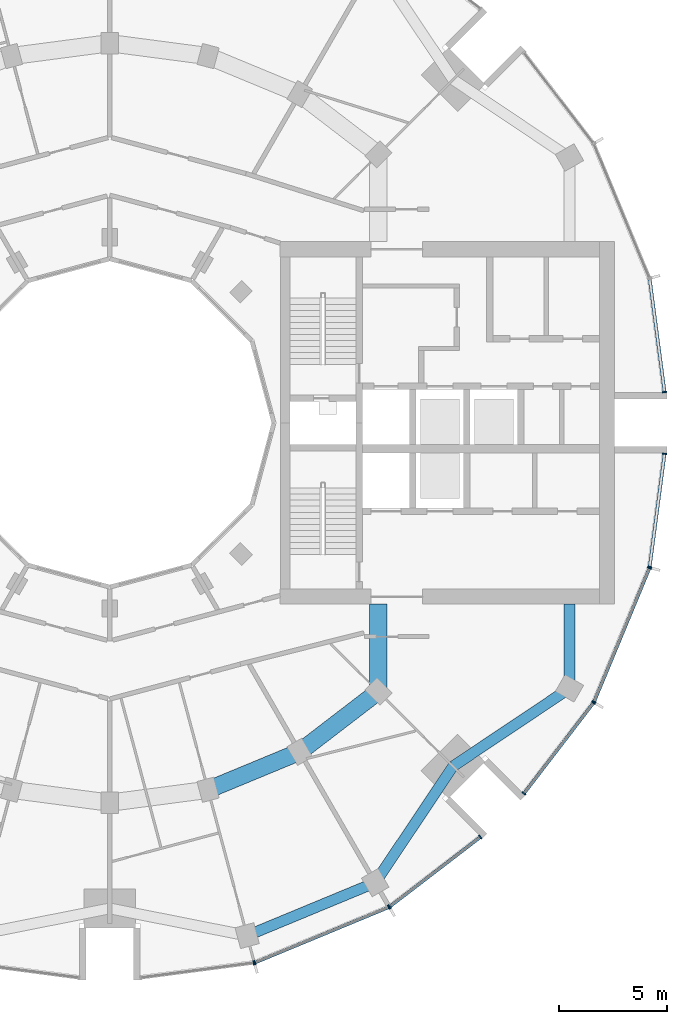
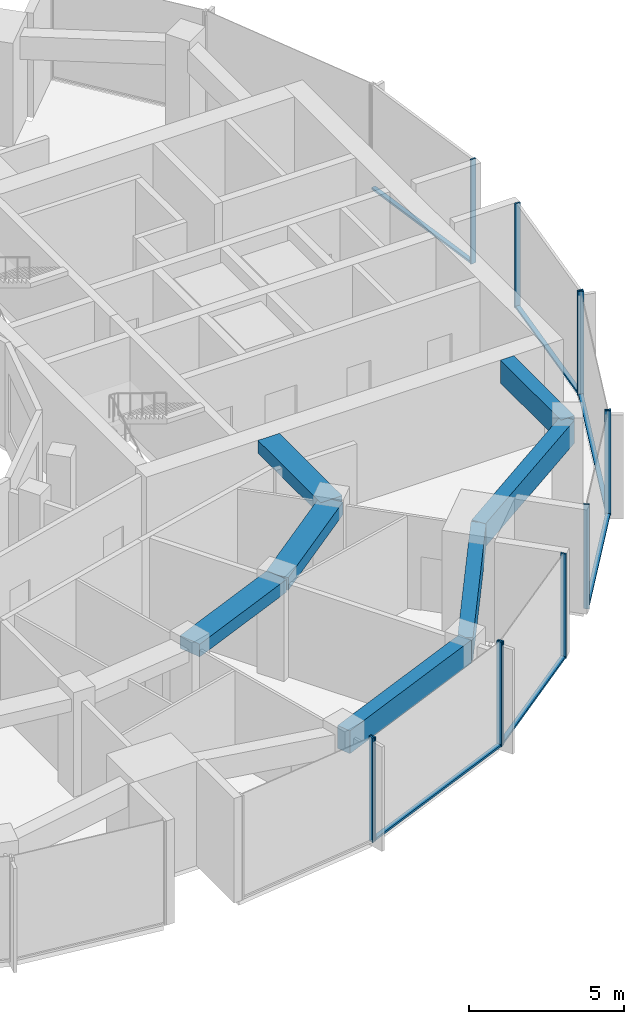
# One storey, part 4 of 15: 18 members, 7 beams, 7 elements without a shape of their own.
"""IFC4 building model written with IfcOpenShell, lengths in metres."""

from ifc_helpers import new_model, si_unit, direction, frame, origin, origin_2d, place, context, subcontext, project, spatial, rectangle, extrude, material, layer, layer_set, material_profile, profile_set, type_object, element, aggregate, save


model = new_model("IFC4")

# Units and contexts
model_context = context("Model", 3, precision=1e-05, world=origin(), true_north=direction((0.0, 1.0)))
body_context = subcontext(model_context, "Body", "Model", "MODEL_VIEW")
ifc_project = project(units=[si_unit("LENGTHUNIT", "METRE"), si_unit("AREAUNIT", "SQUARE_METRE"), si_unit("VOLUMEUNIT", "CUBIC_METRE"), si_unit("PLANEANGLEUNIT", "RADIAN"), si_unit("MASSUNIT", "GRAM", prefix="KILO")], contexts=[model_context])

# Site, building, storey
site_placement = place(None, origin())
site = spatial("IfcSite", under=ifc_project, at=site_placement, CompositionType="ELEMENT")
building_placement = place(site_placement, origin())
building = spatial("IfcBuilding", under=site, at=building_placement, Name="Torre Brocal", CompositionType="ELEMENT")
storey_placement = place(building_placement, frame((0.0, 0.0, 161.800048828125)))
storey = spatial("IfcBuildingStorey", under=building, at=storey_placement, Name="L37", CompositionType="ELEMENT", Elevation=161.800048828125)

# Curtain wall, member
ifc_material_1 = material(Name="Aluminium and glass", Category="aluminium")
ifc_layer_1 = layer(ifc_material_1, 0.199951171875)
ifc_layer_set_1 = layer_set([ifc_layer_1], Name="Aluminium and glass")
curtain_wall_type_1 = type_object("IfcCurtainWallType", Name="CW-1 CURTAIN WALL 4100 HIGH", PredefinedType="NOTDEFINED", material=ifc_layer_set_1)
curtain_wall_1_placement = place(storey_placement, origin())
curtain_wall_1 = element("IfcCurtainWall", 1, at=curtain_wall_1_placement, inside=storey, type_object=curtain_wall_type_1, Name="CW-1 RUN 19", PredefinedType="NOTDEFINED")
ifc_material_2 = material(Name="Aluminium, dark anodised", Category="aluminium")
ifc_material_profile_1 = material_profile(ifc_material_2, rectangle(XDim=0.199951171875, YDim=0.06005859375, at=origin_2d()), Name="CW-1 MULLION 60X200")
ifc_profile_set_1 = profile_set([ifc_material_profile_1], Name="Aluminium, dark anodised")
member_type_1 = type_object("IfcMemberType", Name="CW-1 MULLION 60X200", PredefinedType="MULLION", material=ifc_profile_set_1)
member_1_placement = place(storey_placement, frame((86.67333984375, 49.9794921875, 0.0), z_axis=(0.0, 0.0, 1.0), x_axis=(-0.13052619222, 0.991444861374, 0.0)))
member_1 = element("IfcMember", 2, at=member_1_placement, type_object=member_type_1, Name="CW1-4 mullion 2", PredefinedType="MULLION", context=body_context, shape_type="SweptSolid", body=[
    extrude(rectangle(XDim=0.199951171875, YDim=0.06005859375, at=origin_2d()), origin(), (0.0, 0.0, 1.0), 4.099853515625),
])
aggregate(curtain_wall_1, [member_1])

# Curtain wall, members
curtain_wall_2_placement = place(storey_placement, origin())
curtain_wall_2 = element("IfcCurtainWall", 3, at=curtain_wall_2_placement, inside=storey, type_object=curtain_wall_type_1, Name="CW-1 RUN 20", PredefinedType="NOTDEFINED")
member_2_placement = place(storey_placement, frame((86.73095703125, 49.994873046875, 0.0), z_axis=(0.0, 0.0, 1.0), x_axis=(-0.382683432333, 0.923879532525, 0.0)))
member_2 = element("IfcMember", 4, at=member_2_placement, type_object=member_type_1, Name="CW1-4 mullion 1", PredefinedType="MULLION", context=body_context, shape_type="SweptSolid", body=[
    extrude(rectangle(XDim=0.199951171875, YDim=0.06005859375, at=origin_2d()), origin(), (0.0, 0.0, 1.0), 4.099853515625),
])
member_3_placement = place(storey_placement, frame((92.921875, 52.559326171875, 0.0), z_axis=(0.0, 0.0, 1.0), x_axis=(-0.382683432333, 0.923879532525, 0.0)))
member_3 = element("IfcMember", 5, at=member_3_placement, type_object=member_type_1, Name="CW1-4 mullion 2", PredefinedType="MULLION", context=body_context, shape_type="SweptSolid", body=[
    extrude(rectangle(XDim=0.199951171875, YDim=0.06005859375, at=origin_2d()), origin(), (0.0, 0.0, 1.0), 4.099853515625),
])

curtain_wall_3_placement = place(storey_placement, origin())
curtain_wall_3 = element("IfcCurtainWall", 6, at=curtain_wall_3_placement, inside=storey, type_object=curtain_wall_type_1, Name="CW-1 RUN 21", PredefinedType="NOTDEFINED")
member_4_placement = place(storey_placement, frame((92.973388671875, 52.5888671875, 0.0), z_axis=(0.0, 0.0, 1.0), x_axis=(-0.60876142905, 0.793353340259, 0.0)))
member_4 = element("IfcMember", 7, at=member_4_placement, type_object=member_type_1, Name="CW1-4 mullion 1", PredefinedType="MULLION", context=body_context, shape_type="SweptSolid", body=[
    extrude(rectangle(XDim=0.199951171875, YDim=0.06005859375, at=origin_2d()), origin(), (0.0, 0.0, 1.0), 4.099853515625),
])
member_5_placement = place(storey_placement, frame((97.16943359375, 55.80859375, 0.0), z_axis=(0.0, 0.0, 1.0), x_axis=(-0.60876142905, 0.793353340259, 0.0)))
member_5 = element("IfcMember", 8, at=member_5_placement, type_object=member_type_1, Name="CW1-4 mullion 2", PredefinedType="MULLION", context=body_context, shape_type="SweptSolid", body=[
    extrude(rectangle(XDim=0.199951171875, YDim=0.06005859375, at=origin_2d()), origin(), (0.0, 0.0, 1.0), 4.099853515625),
])

curtain_wall_4_placement = place(storey_placement, origin())
curtain_wall_4 = element("IfcCurtainWall", 9, at=curtain_wall_4_placement, inside=storey, type_object=curtain_wall_type_1, Name="CW-1 RUN 22", PredefinedType="NOTDEFINED")
member_6_placement = place(storey_placement, frame((99.19140625, 57.83056640625, 0.0), z_axis=(0.0, 0.0, 1.0), x_axis=(-0.793353340259, 0.60876142905, 0.0)))
member_6 = element("IfcMember", 10, at=member_6_placement, type_object=member_type_1, Name="CW1-4 mullion 1", PredefinedType="MULLION", context=body_context, shape_type="SweptSolid", body=[
    extrude(rectangle(XDim=0.199951171875, YDim=0.06005859375, at=origin_2d()), origin(), (0.0, 0.0, 1.0), 4.099853515625),
])
member_7_placement = place(storey_placement, frame((102.4111328125, 62.026611328125, 0.0), z_axis=(0.0, 0.0, 1.0), x_axis=(-0.793353340259, 0.60876142905, 0.0)))
member_7 = element("IfcMember", 11, at=member_7_placement, type_object=member_type_1, Name="CW1-4 mullion 2", PredefinedType="MULLION", context=body_context, shape_type="SweptSolid", body=[
    extrude(rectangle(XDim=0.199951171875, YDim=0.06005859375, at=origin_2d()), origin(), (0.0, 0.0, 1.0), 4.099853515625),
])

curtain_wall_5_placement = place(storey_placement, origin())
curtain_wall_5 = element("IfcCurtainWall", 12, at=curtain_wall_5_placement, inside=storey, type_object=curtain_wall_type_1, Name="CW-1 RUN 23", PredefinedType="NOTDEFINED")
member_8_placement = place(storey_placement, frame((102.440673828125, 62.078125, 0.0), z_axis=(0.0, 0.0, 1.0), x_axis=(-0.923879532525, 0.382683432333, 0.0)))
member_8 = element("IfcMember", 13, at=member_8_placement, type_object=member_type_1, Name="CW1-4 mullion 1", PredefinedType="MULLION", context=body_context, shape_type="SweptSolid", body=[
    extrude(rectangle(XDim=0.199951171875, YDim=0.06005859375, at=origin_2d()), origin(), (0.0, 0.0, 1.0), 4.099853515625),
])
member_9_placement = place(storey_placement, frame((105.005126953125, 68.26904296875, 0.0), z_axis=(0.0, 0.0, 1.0), x_axis=(-0.923879532525, 0.382683432333, 0.0)))
member_9 = element("IfcMember", 14, at=member_9_placement, type_object=member_type_1, Name="CW1-4 mullion 2", PredefinedType="MULLION", context=body_context, shape_type="SweptSolid", body=[
    extrude(rectangle(XDim=0.199951171875, YDim=0.06005859375, at=origin_2d()), origin(), (0.0, 0.0, 1.0), 4.099853515625),
])

# Member
ifc_material_3 = material(Name="Aluminium, dark anodised", Category="aluminium")
ifc_material_profile_2 = material_profile(ifc_material_3, rectangle(XDim=0.159912109375, YDim=0.080078125, at=origin_2d()), Name="CW-1 TRANSOM 160X80")
ifc_profile_set_2 = profile_set([ifc_material_profile_2], Name="Aluminium, dark anodised")
member_type_2 = type_object("IfcMemberType", Name="CW-1 TRANSOM 160X80", PredefinedType="USERDEFINED", material=ifc_profile_set_2)
member_10_placement = place(storey_placement, frame((86.758544921875, 50.00634765625, 0.0400390625), z_axis=(0.923887344364, 0.38266457234, 0.0), x_axis=(-0.38266457234, 0.923887344364, 0.0)))
member_10 = element("IfcMember", 15, at=member_10_placement, type_object=member_type_2, Name="CW1-4 transom 1.1", ObjectType="TRANSOM", PredefinedType="USERDEFINED", context=body_context, shape_type="SweptSolid", body=[
    extrude(rectangle(XDim=0.159912109375, YDim=0.080078125, at=origin_2d()), origin(), (0.0, 0.0, 1.0), 6.640869140625),
])

aggregate(curtain_wall_2, [member_2, member_3, member_10])

member_11_placement = place(storey_placement, frame((92.9970703125, 52.607177734375, 0.0400390625), z_axis=(0.79336281513, 0.60874908096, 0.0), x_axis=(-0.60874908096, 0.79336281513, 0.0)))
member_11 = element("IfcMember", 16, at=member_11_placement, type_object=member_type_2, Name="CW1-4 transom 1.1", ObjectType="TRANSOM", PredefinedType="USERDEFINED", context=body_context, shape_type="SweptSolid", body=[
    extrude(rectangle(XDim=0.159912109375, YDim=0.080078125, at=origin_2d()), origin(), (0.0, 0.0, 1.0), 5.22900390625),
])

aggregate(curtain_wall_3, [member_4, member_5, member_11])

member_12_placement = place(storey_placement, frame((99.209716796875, 57.8544921875, 0.0400390625), z_axis=(0.60874908096, 0.79336281513, 0.0), x_axis=(-0.79336281513, 0.60874908096, 0.0)))
member_12 = element("IfcMember", 17, at=member_12_placement, type_object=member_type_2, Name="CW1-4 transom 1.1", ObjectType="TRANSOM", PredefinedType="USERDEFINED", context=body_context, shape_type="SweptSolid", body=[
    extrude(rectangle(XDim=0.159912109375, YDim=0.080078125, at=origin_2d()), origin(), (0.0, 0.0, 1.0), 5.22900390625),
])

aggregate(curtain_wall_4, [member_6, member_7, member_12])

member_13_placement = place(storey_placement, frame((102.452392578125, 62.10595703125, 0.0400390625), z_axis=(0.38266457234, 0.923887344364, 0.0), x_axis=(-0.923887344364, 0.38266457234, 0.0)))
member_13 = element("IfcMember", 18, at=member_13_placement, type_object=member_type_2, Name="CW1-4 transom 1.1", ObjectType="TRANSOM", PredefinedType="USERDEFINED", context=body_context, shape_type="SweptSolid", body=[
    extrude(rectangle(XDim=0.159912109375, YDim=0.080078125, at=origin_2d()), origin(), (0.0, 0.0, 1.0), 6.640869140625),
])

aggregate(curtain_wall_5, [member_8, member_9, member_13])

# Curtain wall, member
ifc_material_4 = material(Name="Aluminium and glass", Category="aluminium")
ifc_layer_2 = layer(ifc_material_4, 0.199951171875)
ifc_layer_set_2 = layer_set([ifc_layer_2], Name="Aluminium and glass")
curtain_wall_type_2 = type_object("IfcCurtainWallType", Name="CW-1B CURTAIN WALL 4100 HIGH", PredefinedType="NOTDEFINED", material=ifc_layer_set_2)
curtain_wall_6_placement = place(storey_placement, origin())
curtain_wall_6 = element("IfcCurtainWall", 19, at=curtain_wall_6_placement, inside=storey, type_object=curtain_wall_type_2, Name="CW-1B RUN 1", PredefinedType="NOTDEFINED")
ifc_material_5 = material(Name="Aluminium, dark anodised", Category="aluminium")
ifc_material_profile_3 = material_profile(ifc_material_5, rectangle(XDim=0.199951171875, YDim=0.06005859375, at=origin_2d()), Name="CW-1B MULLION 60X200")
ifc_profile_set_3 = profile_set([ifc_material_profile_3], Name="Aluminium, dark anodised")
member_type_3 = type_object("IfcMemberType", Name="CW-1B MULLION 60X200", PredefinedType="MULLION", material=ifc_profile_set_3)
member_14_placement = place(storey_placement, frame((105.7109375, 76.4296875, 0.0), z_axis=(0.0, 0.0, 1.0), x_axis=(-0.991444861374, -0.13052619222, 0.0)))
member_14 = element("IfcMember", 20, at=member_14_placement, type_object=member_type_3, Name="CW1B-4 mullion 1", PredefinedType="MULLION", context=body_context, shape_type="SweptSolid", body=[
    extrude(rectangle(XDim=0.199951171875, YDim=0.06005859375, at=origin_2d()), origin(), (0.0, 0.0, 1.0), 4.099853515625),
])

# Curtain wall, members
curtain_wall_7_placement = place(storey_placement, origin())
curtain_wall_7 = element("IfcCurtainWall", 21, at=curtain_wall_7_placement, inside=storey, type_object=curtain_wall_type_2, Name="CW-1B RUN 24", PredefinedType="NOTDEFINED")
member_15_placement = place(storey_placement, frame((105.0205078125, 68.32666015625, 0.0), z_axis=(0.0, 0.0, 1.0), x_axis=(-0.991444861374, 0.13052619222, 0.0)))
member_15 = element("IfcMember", 22, at=member_15_placement, type_object=member_type_3, Name="CW1B-4 mullion 1", PredefinedType="MULLION", context=body_context, shape_type="SweptSolid", body=[
    extrude(rectangle(XDim=0.199951171875, YDim=0.06005859375, at=origin_2d()), origin(), (0.0, 0.0, 1.0), 4.099853515625),
])
member_16_placement = place(storey_placement, frame((105.7109375, 73.5703125, 0.0), z_axis=(0.0, 0.0, 1.0), x_axis=(-0.991444861374, 0.13052619222, 0.0)))
member_16 = element("IfcMember", 23, at=member_16_placement, type_object=member_type_3, Name="CW1B-4 mullion 2", PredefinedType="MULLION", context=body_context, shape_type="SweptSolid", body=[
    extrude(rectangle(XDim=0.199951171875, YDim=0.06005859375, at=origin_2d()), origin(), (0.0, 0.0, 1.0), 4.099853515625),
])

# Member
ifc_material_6 = material(Name="Aluminium, dark anodised", Category="aluminium")
ifc_material_profile_4 = material_profile(ifc_material_6, rectangle(XDim=0.159912109375, YDim=0.080078125, at=origin_2d()), Name="CW-1B TRANSOM 160X80")
ifc_profile_set_4 = profile_set([ifc_material_profile_4], Name="Aluminium, dark anodised")
member_type_4 = type_object("IfcMemberType", Name="CW-1B TRANSOM 160X80", PredefinedType="USERDEFINED", material=ifc_profile_set_4)
member_17_placement = place(storey_placement, frame((105.70703125, 76.45947265625, 0.0400390625), z_axis=(-0.130542677827, 0.991442690863, 0.0), x_axis=(-0.991442690863, -0.130542677827, 0.0)))
member_17 = element("IfcMember", 24, at=member_17_placement, type_object=member_type_4, Name="CW1B-4 transom 1.1", ObjectType="TRANSOM", PredefinedType="USERDEFINED", context=body_context, shape_type="SweptSolid", body=[
    extrude(rectangle(XDim=0.159912109375, YDim=0.080078125, at=origin_2d()), origin(), (0.0, 0.0, 1.0), 5.22900390625),
])

aggregate(curtain_wall_6, [member_14, member_17])

member_18_placement = place(storey_placement, frame((105.0244140625, 68.356201171875, 0.0400390625), z_axis=(0.130542677827, 0.991442690863, 0.0), x_axis=(-0.991442690863, 0.130542677827, 0.0)))
member_18 = element("IfcMember", 25, at=member_18_placement, type_object=member_type_4, Name="CW1B-4 transom 1.1", ObjectType="TRANSOM", PredefinedType="USERDEFINED", context=body_context, shape_type="SweptSolid", body=[
    extrude(rectangle(XDim=0.159912109375, YDim=0.080078125, at=origin_2d()), origin(), (0.0, 0.0, 1.0), 5.22900390625),
])

aggregate(curtain_wall_7, [member_15, member_16, member_18])

# Beams
ifc_material_7 = material(Name="Concrete C50", Category="concrete")
ifc_material_profile_5 = material_profile(ifc_material_7, rectangle(XDim=0.800048828125, YDim=0.5, at=origin_2d()), Name="RC 800X500")
ifc_profile_set_5 = profile_set([ifc_material_profile_5], Name="Concrete C50")
beam_type_1 = type_object("IfcBeamType", Name="RC BEAM 800X500 C50 TOP 3780", PredefinedType="BEAM", material=ifc_profile_set_5)
beam_1_placement = place(storey_placement, frame((84.55517578125, 57.999755859375, 3.530029296875), z_axis=(0.923878240166, 0.382686552348, 0.0), x_axis=(-0.382686552348, 0.923878240166, 0.0)))
element("IfcBeam", 26, at=beam_1_placement, inside=storey, type_object=beam_type_1, Name="Beam BT-32", PredefinedType="BEAM", context=body_context, shape_type="SweptSolid", body=[
    extrude(rectangle(XDim=0.800048828125, YDim=0.5, at=origin_2d()), origin(), (0.0, 0.0, 1.0), 4.5947265625),
])
beam_2_placement = place(storey_placement, frame((88.800048828125, 59.758056640625, 3.530029296875), z_axis=(0.793358265959, 0.6087550097, 0.0), x_axis=(-0.6087550097, 0.793358265959, 0.0)))
element("IfcBeam", 27, at=beam_2_placement, inside=storey, type_object=beam_type_1, Name="Beam BT-32", PredefinedType="BEAM", context=body_context, shape_type="SweptSolid", body=[
    extrude(rectangle(XDim=0.800048828125, YDim=0.5, at=origin_2d()), origin(), (0.0, 0.0, 1.0), 4.594482421875),
])
beam_3_placement = place(storey_placement, frame((92.445068359375, 62.554931640625, 3.530029296875), z_axis=(0.0, 1.0, 0.0), x_axis=(-1.0, 0.0, 0.0)))
element("IfcBeam", 28, at=beam_3_placement, inside=storey, type_object=beam_type_1, Name="Beam BT-32", PredefinedType="BEAM", context=body_context, shape_type="SweptSolid", body=[
    extrude(rectangle(XDim=0.800048828125, YDim=0.5, at=origin_2d()), origin(), (0.0, 0.0, 1.0), 4.045166015625),
])
ifc_material_8 = material(Name="Concrete C50", Category="concrete")
ifc_material_profile_6 = material_profile(ifc_material_8, rectangle(XDim=0.5, YDim=0.89990234375, at=origin_2d()), Name="RC 500X900")
ifc_profile_set_6 = profile_set([ifc_material_profile_6], Name="Concrete C50")
beam_type_2 = type_object("IfcBeamType", Name="RC SPANDREL BEAM 500X900 C50 TOP 3780", PredefinedType="SPANDREL", material=ifc_profile_set_6)
beam_4_placement = place(storey_placement, frame((86.366943359375, 51.23828125, 3.329833984375), z_axis=(0.923882462513, 0.382676358639, 0.0), x_axis=(-0.382676358639, 0.923882462513, 0.0)))
element("IfcBeam", 29, at=beam_4_placement, inside=storey, type_object=beam_type_2, Name="Beam BT-33", PredefinedType="SPANDREL", context=body_context, shape_type="SweptSolid", body=[
    extrude(rectangle(XDim=0.5, YDim=0.89990234375, at=origin_2d()), origin(), (0.0, 0.0, 1.0), 6.421875),
])
for number, where, z_axis, x_axis, name in (
    (30, (92.300048828125, 53.69580078125, 3.329833984375), (0.556157602282, 0.831076844476, 0.0), (-0.831076844476, 0.556157602282, 0.0), "Beam BT-33"),
    (31, (95.909912109375, 59.090087890625, 3.329833984375), (0.831076844476, 0.556157602282, 0.0), (-0.556157602282, 0.831076844476, 0.0), "Beam BT-33"),
):
    element("IfcBeam", number, at=place(storey_placement, frame(where, z_axis=z_axis, x_axis=x_axis)), inside=storey, type_object=beam_type_2, Name=name, PredefinedType="SPANDREL", context=body_context, shape_type="SweptSolid", body=[
        extrude(rectangle(XDim=0.5, YDim=0.89990234375, at=origin_2d()), origin(), (0.0, 0.0, 1.0), 6.49072265625),
    ])
beam_5_placement = place(storey_placement, frame((101.30419921875, 62.699951171875, 3.329833984375), z_axis=(0.0, 1.0, 0.0), x_axis=(-1.0, 0.0, 0.0)))
element("IfcBeam", 32, at=beam_5_placement, inside=storey, type_object=beam_type_2, Name="Beam BT-33", PredefinedType="SPANDREL", context=body_context, shape_type="SweptSolid", body=[
    extrude(rectangle(XDim=0.5, YDim=0.89990234375, at=origin_2d()), origin(), (0.0, 0.0, 1.0), 3.900146484375),
])

save(model, "model.ifc")
